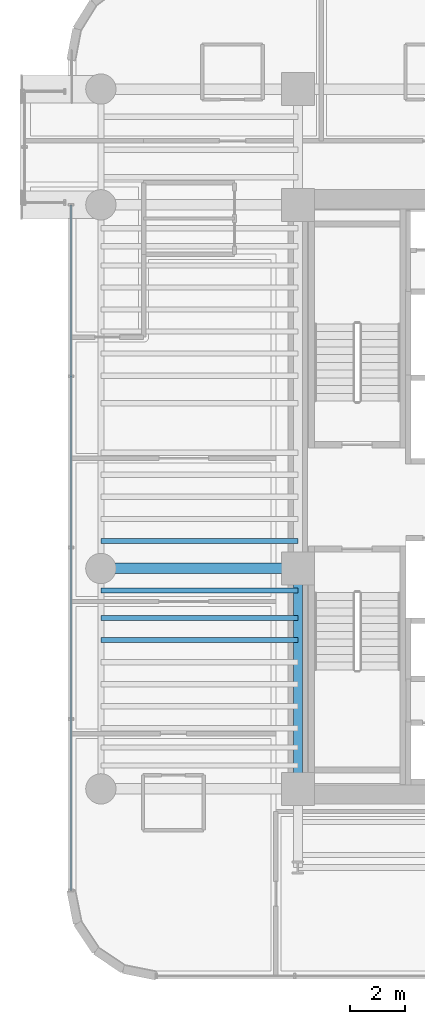
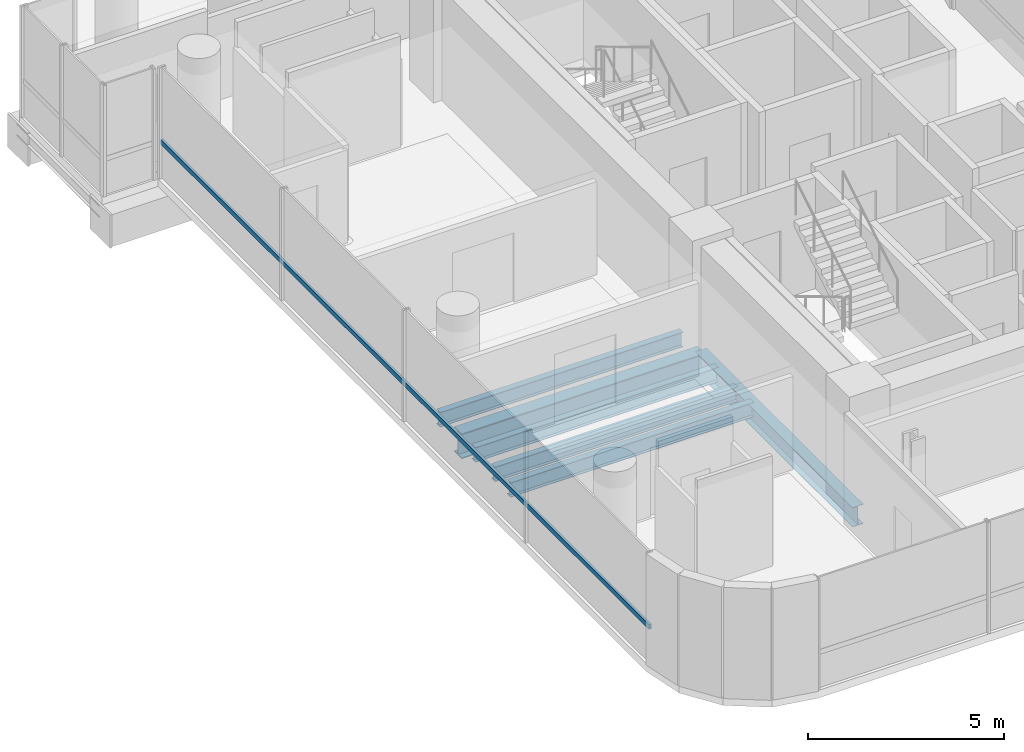
# One storey, part 5 of 35: 6 beams, 1 member, 1 element without a shape of its own.
"""IFC4 building model written with IfcOpenShell, lengths in metres."""

from ifc_helpers import new_model, si_unit, direction, frame, origin, origin_2d, place, context, subcontext, project, spatial, hollow_rectangle, i_section, extrude, source, transform, mapped, material, material_profile, profile_set, type_object, element, aggregate, save


model = new_model("IFC4")

# Units and contexts
model_context = context("Model", 3, precision=1e-05, world=origin(), true_north=direction((0.0, 1.0)))
body_context = subcontext(model_context, "Body", "Model", "MODEL_VIEW")
ifc_project = project(units=[si_unit("LENGTHUNIT", "METRE"), si_unit("AREAUNIT", "SQUARE_METRE"), si_unit("VOLUMEUNIT", "CUBIC_METRE"), si_unit("PLANEANGLEUNIT", "RADIAN"), si_unit("MASSUNIT", "GRAM", prefix="KILO")], contexts=[model_context])

# Site, building, storey
site_placement = place(None, origin())
site = spatial("IfcSite", under=ifc_project, at=site_placement, CompositionType="ELEMENT")
building_placement = place(site_placement, origin())
building = spatial("IfcBuilding", under=site, at=building_placement, Name="Valdorenza Pilgrim Sanctuary Tower", CompositionType="ELEMENT")
storey_placement = place(building_placement, frame((0.0, 0.0, 116.800048828125)))
storey = spatial("IfcBuildingStorey", under=building, at=storey_placement, Name="L29", CompositionType="ELEMENT", Elevation=116.800048828125)

# Beams
ifc_material_1 = material(Name="Steel ASTM A992 Grade 50", Category="steel")
ifc_material_profile_1 = material_profile(ifc_material_1, i_section(OverallWidth=0.323974609375, OverallDepth=0.611083984375, WebThickness=0.0126953125, FlangeThickness=0.01904296875, at=origin_2d()), Name="W24X104")
ifc_profile_set_1 = profile_set([ifc_material_profile_1], Name="Steel ASTM A992 Grade 50")
beam_type_1 = type_object("IfcBeamType", Name="STR-BM-GRD-W24B", PredefinedType="BEAM", material=ifc_profile_set_1)
shared_shape_1 = source(origin(), body_context, "Body", "SweptSolid", [
    extrude(i_section(OverallWidth=0.323974609375, OverallDepth=0.611083984375, WebThickness=0.0126953125, FlangeThickness=0.01904296875, at=origin_2d()), origin(), (0.0, 0.0, 1.0), 8.0),
])
beam_1_placement = place(storey_placement, frame((-22.64990234375, -10.60009765625, -0.545654296875), z_axis=(0.0, 1.0, 0.0), x_axis=(-1.0, 0.0, 0.0)))
element("IfcBeam", 1, at=beam_1_placement, inside=storey, type_object=beam_type_1, Name="L29 Core Tie Girder CA-W-S1M0", PredefinedType="BEAM", context=body_context, shape_type="MappedRepresentation", body=[
    mapped(shared_shape_1, transform((0.0, 0.0, 0.0), x_axis=(1.0, 0.0, 0.0), y_axis=(0.0, 1.0, 0.0), z_axis=(0.0, 0.0, 1.0), scale=1.0)),
])
ifc_material_profile_2 = material_profile(ifc_material_1, i_section(OverallWidth=0.382080078125, OverallDepth=0.779052734375, WebThickness=0.01806640625, FlangeThickness=0.030029296875, at=origin_2d()), Name="W30X191")
ifc_profile_set_2 = profile_set([ifc_material_profile_2], Name="Steel ASTM A992 Grade 50")
beam_type_2 = type_object("IfcBeamType", Name="STR-BM-GRD-W30", PredefinedType="BEAM", material=ifc_profile_set_2)
shared_shape_2 = source(origin(), body_context, "Body", "SweptSolid", [
    extrude(i_section(OverallWidth=0.382080078125, OverallDepth=0.779052734375, WebThickness=0.01806640625, FlangeThickness=0.030029296875, at=origin_2d()), origin(), (0.0, 0.0, 1.0), 7.150146484375),
])
beam_2_placement = place(storey_placement, frame((-29.800048828125, -2.60009765625, -0.629638671875), z_axis=(1.0, 0.0, 0.0), x_axis=(0.0, 1.0, 0.0)))
element("IfcBeam", 2, at=beam_2_placement, inside=storey, type_object=beam_type_2, Name="L29 Floor Girder WA-XW-M0", PredefinedType="BEAM", context=body_context, shape_type="MappedRepresentation", body=[
    mapped(shared_shape_2, transform((0.0, 0.0, 0.0), x_axis=(1.0, 0.0, 0.0), y_axis=(0.0, 1.0, 0.0), z_axis=(0.0, 0.0, 1.0), scale=1.0)),
])
ifc_material_profile_3 = material_profile(ifc_material_1, i_section(OverallWidth=0.19091796875, OverallDepth=0.45703125, WebThickness=0.009033203125, FlangeThickness=0.014404296875, at=origin_2d()), Name="W18X50")
ifc_profile_set_3 = profile_set([ifc_material_profile_3], Name="Steel ASTM A992 Grade 50")
beam_type_3 = type_object("IfcBeamType", Name="STR-BM-JST-W18B", PredefinedType="JOIST", material=ifc_profile_set_3)
shared_shape_3 = source(origin(), body_context, "Body", "SweptSolid", [
    extrude(i_section(OverallWidth=0.19091796875, OverallDepth=0.45703125, WebThickness=0.009033203125, FlangeThickness=0.014404296875, at=origin_2d()), origin(), (0.0, 0.0, 1.0), 7.150146484375),
])
for number, where, z_axis, x_axis, name in (
    (3, (-29.800048828125, -5.199951171875, -0.468505859375), (1.0, 0.0, 0.0), (0.0, 1.0, 0.0), "L29 Composite Floor Joist JST-WA-7"),
    (4, (-29.800048828125, -4.39990234375, -0.468505859375), (1.0, 0.0, 0.0), (0.0, 1.0, 0.0), "L29 Composite Floor Joist JST-WA-8"),
    (5, (-29.800048828125, -3.39990234375, -0.468505859375), (1.0, 0.0, 0.0), (0.0, 1.0, 0.0), "L29 Composite Floor Joist JST-WA-9"),
    (6, (-29.800048828125, -1.60009765625, -0.468505859375), (1.0, 0.0, 0.0), (0.0, 1.0, 0.0), "L29 Composite Floor Joist JST-WA-10"),
):
    element("IfcBeam", number, at=place(storey_placement, frame(where, z_axis=z_axis, x_axis=x_axis)), inside=storey, type_object=beam_type_3, Name=name, PredefinedType="JOIST", context=body_context, shape_type="MappedRepresentation", body=[
        mapped(shared_shape_3, transform((0.0, 0.0, 0.0), x_axis=(1.0, 0.0, 0.0), y_axis=(0.0, 1.0, 0.0), z_axis=(0.0, 0.0, 1.0), scale=1.0)),
    ])

# Curtain wall, member
ifc_material_2 = material(Name="Curtain-wall IGU glazing", Category="glass")
curtain_wall_type = type_object("IfcCurtainWallType", Name="CW-SYS-02", PredefinedType="NOTDEFINED", material=ifc_material_2)
curtain_wall_placement = place(storey_placement, origin())
curtain_wall = element("IfcCurtainWall", 7, at=curtain_wall_placement, inside=storey, type_object=curtain_wall_type, Name="L29 Curtain Wall CW-L29-1-1S1", PredefinedType="NOTDEFINED")
ifc_material_3 = material(Name="Anodised aluminium AW-6060", Category="aluminium")
ifc_material_profile_4 = material_profile(ifc_material_3, hollow_rectangle(XDim=0.074951171875, YDim=0.14990234375, WallThickness=0.00390625, at=origin_2d()), Name="ALU-T 150x75x4")
ifc_profile_set_4 = profile_set([ifc_material_profile_4], Name="Anodised aluminium AW-6060")
member_type = type_object("IfcMemberType", Name="CW-TRN-02", PredefinedType="USERDEFINED", material=ifc_profile_set_4)
shared_shape_4 = source(origin(), body_context, "Body", "SweptSolid", [
    extrude(hollow_rectangle(XDim=0.074951171875, YDim=0.14990234375, WallThickness=0.00390625, at=origin_2d()), origin(), (0.0, 0.0, 1.0), 24.889404296875),
])
member_placement = place(storey_placement, frame((-30.889892578125, -14.289306640625, 1.119873046875), z_axis=(0.0, 1.0, 0.0), x_axis=(-1.0, 0.0, 0.0)))
member = element("IfcMember", 8, at=member_placement, type_object=member_type, Name="CW-L29-1-1S1 Transom 1", ObjectType="TRANSOM", PredefinedType="USERDEFINED", context=body_context, shape_type="MappedRepresentation", body=[
    mapped(shared_shape_4, transform((0.0, 0.0, 0.0), x_axis=(1.0, 0.0, 0.0), y_axis=(0.0, 1.0, 0.0), z_axis=(0.0, 0.0, 1.0), scale=1.0)),
])
aggregate(curtain_wall, [member])

save(model, "model.ifc")
